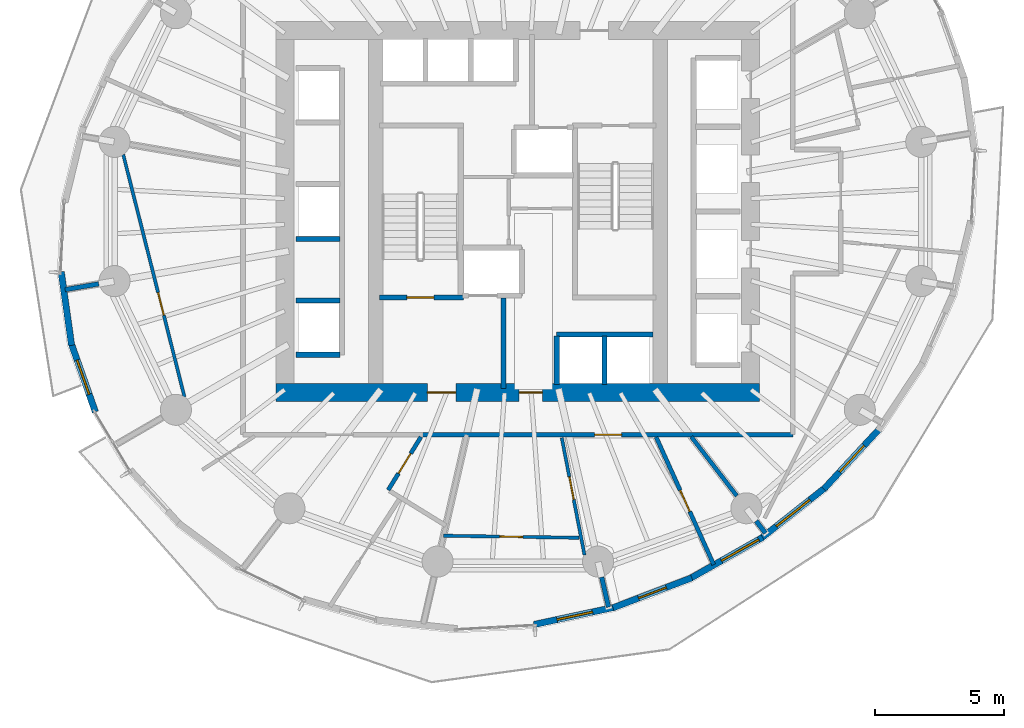
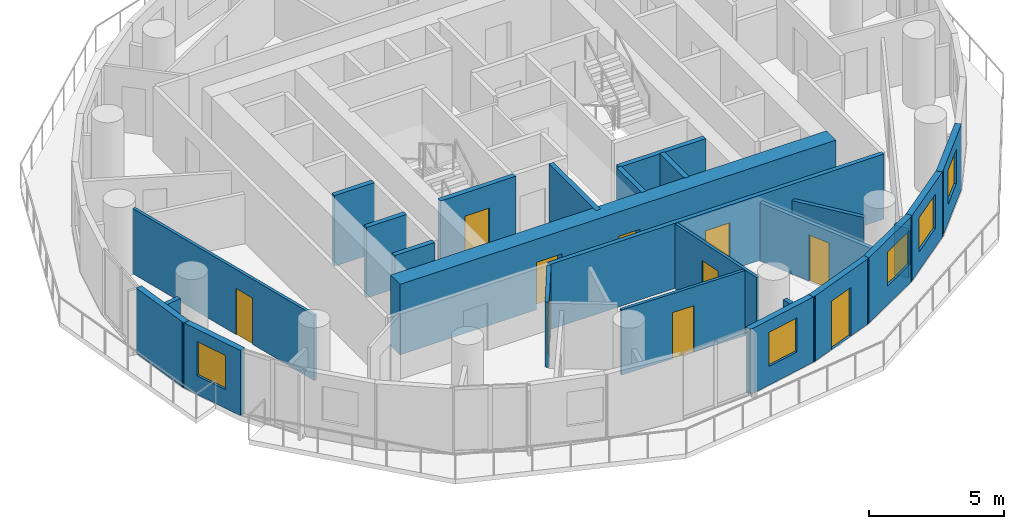
# One storey, part 7 of 15: 26 walls, 10 doors, 5 windows, 15 openings.
"""IFC4 building model written with IfcOpenShell, lengths in metres."""

from ifc_helpers import new_model, si_unit, direction, frame, frame_2d, origin, place, context, subcontext, project, spatial, rectangle, extrude, material, layer, layer_set, type_object, element, fill, save


model = new_model("IFC4")

# Units and contexts
model_context = context("Model", 3, precision=1e-05, world=origin(), true_north=direction((0.0, 1.0)))
body_context = subcontext(model_context, "Body", "Model", "MODEL_VIEW")
ifc_project = project(units=[si_unit("LENGTHUNIT", "METRE"), si_unit("AREAUNIT", "SQUARE_METRE"), si_unit("VOLUMEUNIT", "CUBIC_METRE"), si_unit("PLANEANGLEUNIT", "RADIAN"), si_unit("MASSUNIT", "GRAM", prefix="KILO")], contexts=[model_context])

# Site, building, storey
site_placement = place(None, origin())
site = spatial("IfcSite", under=ifc_project, at=site_placement, CompositionType="ELEMENT")
building_placement = place(site_placement, origin())
building = spatial("IfcBuilding", under=site, at=building_placement, Name="Veldorim Arch Residences", CompositionType="ELEMENT")
storey_placement = place(building_placement, frame((0.0, 0.0, 102.8798828125)))
storey = spatial("IfcBuildingStorey", under=building, at=storey_placement, Name="L30", CompositionType="ELEMENT", Elevation=102.8798828125)

# Wall, opening, door
ifc_material_1 = material(Name="Acoustic Gypsum Board", Category="gypsum")
ifc_layer_1 = layer(ifc_material_1, 0.125, Name="Acoustic Stud Room Partition Wall 125")
ifc_layer_set_1 = layer_set([ifc_layer_1], Name="Acoustic Gypsum Board")
wall_type_1 = type_object("IfcWallType", Name="Acoustic Stud Room Partition Wall 125", PredefinedType="PARTITIONING", material=ifc_layer_set_1)
wall_1_placement = place(storey_placement, frame((34.576904296875, 10.718994140625, 0.0), z_axis=(0.0, 0.0, 1.0), x_axis=(-0.19043944415, 0.981698944744, 0.0)))
wall_1 = element("IfcWall", 1, at=wall_1_placement, inside=storey, type_object=wall_type_1, Name="L30 interior wall WL-RES-L30-012", PredefinedType="PARTITIONING", context=body_context, shape_type="SweptSolid", body=[
    extrude(rectangle(XDim=4.61767578125, YDim=0.125, at=frame_2d((2.308837890625, 0.0))), origin(), (0.0, 0.0, 1.0), 2.955078125),
])
opening_1_placement = place(wall_1_placement, frame((2.18701171875, 0.0, 0.0)))
opening_1 = element("IfcOpeningElement", 2, at=opening_1_placement, cuts=wall_1, Name="Opening DR-INT", PredefinedType="OPENING", context=body_context, shape_type="SweptSolid", body=[
    extrude(rectangle(XDim=0.89990234375, YDim=2.10009765625, at=frame_2d((0.449951171875, 1.050048828125))), frame((0.0, 0.072509765625, 0.0), z_axis=(0.0, -1.0, 0.0), x_axis=(1.0, 0.0, 0.0)), (0.0, 0.0, 1.0), 0.14501953125),
])
ifc_material_2 = material(Name="Engineered Timber", Category="wood")
door_type_1 = type_object("IfcDoorType", Name="Apartment Internal Room Timber Door 900x2100", OperationType="SINGLE_SWING_LEFT", PredefinedType="DOOR", material=ifc_material_2)
door_1_placement = place(opening_1_placement, origin())
door_1 = element("IfcDoor", 3, at=door_1_placement, inside=storey, type_object=door_type_1, Name="L30 interior door DR-RES-L30-003", OperationType="SINGLE_SWING_LEFT", OverallHeight=2.10009765625, OverallWidth=0.89990234375, PredefinedType="DOOR", context=body_context, shape_type="SweptSolid", body=[
    extrude(rectangle(XDim=0.89990234375, YDim=2.10009765625, at=frame_2d((0.449951171875, 1.050048828125))), frame((0.0, 0.02490234375, 0.0), z_axis=(0.0, -1.0, 0.0), x_axis=(1.0, 0.0, 0.0)), (0.0, 0.0, 1.0), 0.050048828125),
])
fill(opening_1, door_1)

wall_2_placement = place(storey_placement, frame((34.3681640625, 11.38427734375, 0.0), z_axis=(0.0, 0.0, 1.0), x_axis=(-0.999882579861, 0.015324049414, 0.0)))
wall_2 = element("IfcWall", 4, at=wall_2_placement, inside=storey, type_object=wall_type_1, Name="L30 interior wall WL-RES-L30-014", PredefinedType="PARTITIONING", context=body_context, shape_type="SweptSolid", body=[
    extrude(rectangle(XDim=5.24169921875, YDim=0.125, at=frame_2d((2.620849609375, 0.0))), origin(), (0.0, 0.0, 1.0), 2.955078125),
])
opening_2_placement = place(wall_2_placement, frame((2.1708984375, 0.0, 0.0)))
opening_2 = element("IfcOpeningElement", 5, at=opening_2_placement, cuts=wall_2, Name="Opening DR-INT", PredefinedType="OPENING", context=body_context, shape_type="SweptSolid", body=[
    extrude(rectangle(XDim=0.89990234375, YDim=2.10009765625, at=frame_2d((0.449951171875, 1.050048828125))), frame((0.0, 0.072509765625, 0.0), z_axis=(0.0, -1.0, 0.0), x_axis=(1.0, 0.0, 0.0)), (0.0, 0.0, 1.0), 0.14501953125),
])
door_2_placement = place(opening_2_placement, origin())
door_2 = element("IfcDoor", 6, at=door_2_placement, inside=storey, type_object=door_type_1, Name="L30 interior door DR-RES-L30-004", OperationType="SINGLE_SWING_RIGHT", OverallHeight=2.10009765625, OverallWidth=0.89990234375, PredefinedType="DOOR", context=body_context, shape_type="SweptSolid", body=[
    extrude(rectangle(XDim=0.89990234375, YDim=2.10009765625, at=frame_2d((0.449951171875, 1.050048828125))), frame((0.0, 0.02490234375, 0.0), z_axis=(0.0, -1.0, 0.0), x_axis=(1.0, 0.0, 0.0)), (0.0, 0.0, 1.0), 0.050048828125),
])
fill(opening_2, door_2)

wall_3_placement = place(storey_placement, frame((19.111328125, 16.82568359375, 0.0), z_axis=(0.0, 0.0, 1.0), x_axis=(-0.244982180272, 0.969527581531, 0.0)))
wall_3 = element("IfcWall", 7, at=wall_3_placement, inside=storey, type_object=wall_type_1, Name="L30 interior wall WL-RES-L30-036", PredefinedType="PARTITIONING", context=body_context, shape_type="SweptSolid", body=[
    extrude(rectangle(XDim=9.670654296875, YDim=0.125, at=frame_2d((4.83544921875, 0.0))), origin(), (0.0, 0.0, 1.0), 2.955078125),
])
opening_3_placement = place(wall_3_placement, frame((3.265380859375, 0.0, 0.0)))
opening_3 = element("IfcOpeningElement", 8, at=opening_3_placement, cuts=wall_3, Name="Opening DR-INT", PredefinedType="OPENING", context=body_context, shape_type="SweptSolid", body=[
    extrude(rectangle(XDim=0.89990234375, YDim=2.10009765625, at=frame_2d((0.449951171875, 1.050048828125))), frame((0.0, 0.072509765625, 0.0), z_axis=(0.0, -1.0, 0.0), x_axis=(1.0, 0.0, 0.0)), (0.0, 0.0, 1.0), 0.14501953125),
])
door_3_placement = place(opening_3_placement, origin())
door_3 = element("IfcDoor", 9, at=door_3_placement, inside=storey, type_object=door_type_1, Name="L30 interior door DR-RES-L30-022", OperationType="SINGLE_SWING_RIGHT", OverallHeight=2.10009765625, OverallWidth=0.89990234375, PredefinedType="DOOR", context=body_context, shape_type="SweptSolid", body=[
    extrude(rectangle(XDim=0.89990234375, YDim=2.10009765625, at=frame_2d((0.449951171875, 1.050048828125))), frame((0.0, 0.02490234375, 0.0), z_axis=(0.0, -1.0, 0.0), x_axis=(1.0, 0.0, 0.0)), (0.0, 0.0, 1.0), 0.050048828125),
])
fill(opening_3, door_3)

# Walls
ifc_material_3 = material(Name="Lightweight Masonry Block & Gypsum", Category="masonry")
ifc_layer_2 = layer(ifc_material_3, 0.179931640625, Name="Compartment & Corridor Fire-Rated Party Wall 180")
ifc_layer_set_2 = layer_set([ifc_layer_2], Name="Lightweight Masonry Block & Gypsum")
wall_type_2 = type_object("IfcWallType", Name="Compartment & Corridor Fire-Rated Party Wall 180", PredefinedType="PARTITIONING", material=ifc_layer_set_2)
wall_4_placement = place(storey_placement, frame((15.79443359375, 21.202392578125, 0.0), z_axis=(0.0, 0.0, 1.0), x_axis=(-0.98541625201, -0.170161130326, 0.0)))
element("IfcWall", 10, at=wall_4_placement, inside=storey, type_object=wall_type_2, Name="L30 interior wall WL-PIER-L30-09", PredefinedType="PARTITIONING", context=body_context, shape_type="SweptSolid", body=[
    extrude(rectangle(XDim=1.318603515625, YDim=0.179931640625, at=frame_2d((0.6591796875, 0.0))), origin(), (0.0, 0.0, 1.0), 2.2607421875),
])
wall_5_placement = place(storey_placement, frame((35.240478515625, 9.86083984375, 0.0), z_axis=(0.0, 0.0, 1.0), x_axis=(0.223327310752, -0.974743511018, 0.0)))
element("IfcWall", 11, at=wall_5_placement, inside=storey, type_object=wall_type_2, Name="L30 interior wall WL-PIER-L30-13", PredefinedType="PARTITIONING", context=body_context, shape_type="SweptSolid", body=[
    extrude(rectangle(XDim=1.187255859375, YDim=0.179931640625, at=frame_2d((0.59375, 0.0))), origin(), (0.0, 0.0, 1.0), 2.2607421875),
])
wall_6_placement = place(storey_placement, frame((41.2119140625, 12.034423828125, 0.0), z_axis=(0.0, 0.0, 1.0), x_axis=(0.609790512648, -0.792562635181, 0.0)))
element("IfcWall", 12, at=wall_6_placement, inside=storey, type_object=wall_type_2, Name="L30 interior wall WL-PIER-L30-14", PredefinedType="PARTITIONING", context=body_context, shape_type="SweptSolid", body=[
    extrude(rectangle(XDim=0.591796875, YDim=0.179931640625, at=frame_2d((0.2958984375, 0.0))), origin(), (0.0, 0.0, 1.0), 2.2607421875),
])

# Wall, opening, door
wall_7_placement = place(storey_placement, frame((42.6298828125, 15.3701171875, 0.0), z_axis=(0.0, 0.0, 1.0), x_axis=(-1.0, 0.0, 0.0)))
wall_7 = element("IfcWall", 13, at=wall_7_placement, inside=storey, type_object=wall_type_2, Name="L30 interior wall WL-RES-L30-001", PredefinedType="PARTITIONING", context=body_context, shape_type="SweptSolid", body=[
    extrude(rectangle(XDim=14.345703125, YDim=0.179931640625, at=frame_2d((7.1728515625, 0.0))), origin(), (0.0, 0.0, 1.0), 2.955078125),
])
opening_4_placement = place(wall_7_placement, frame((6.614990234375, 0.0, 0.0)))
opening_4 = element("IfcOpeningElement", 14, at=opening_4_placement, cuts=wall_7, Name="Opening DR-FLT", PredefinedType="OPENING", context=body_context, shape_type="SweptSolid", body=[
    extrude(rectangle(XDim=1.050048828125, YDim=2.14990234375, at=frame_2d((0.52490234375, 1.074951171875))), frame((0.0, 0.099853515625, 0.0), z_axis=(0.0, -1.0, 0.0), x_axis=(1.0, 0.0, 0.0)), (0.0, 0.0, 1.0), 0.199951171875),
])
ifc_material_4 = material(Name="Fire-Rated Timber", Category="wood")
door_type_2 = type_object("IfcDoorType", Name="Apartment Entrance Solid-Core Fire Door 1050x2150", OperationType="SINGLE_SWING_LEFT", PredefinedType="DOOR", material=ifc_material_4)
door_4_placement = place(opening_4_placement, origin())
door_4 = element("IfcDoor", 15, at=door_4_placement, inside=storey, type_object=door_type_2, Name="L30 interior door DR-RES-L30-001", OperationType="SINGLE_SWING_LEFT", OverallHeight=2.14990234375, OverallWidth=1.050048828125, PredefinedType="DOOR", context=body_context, shape_type="SweptSolid", body=[
    extrude(rectangle(XDim=1.050048828125, YDim=2.14990234375, at=frame_2d((0.52490234375, 1.074951171875))), frame((0.0, 0.02490234375, 0.0), z_axis=(0.0, -1.0, 0.0), x_axis=(1.0, 0.0, 0.0)), (0.0, 0.0, 1.0), 0.050048828125),
])
fill(opening_4, door_4)

ifc_material_5 = material(Name="Concrete C50/60", Category="concrete")
ifc_layer_3 = layer(ifc_material_5, 0.199951171875, Name="Core Stair & Lift Shaft Enclosure Wall 200")
ifc_layer_set_3 = layer_set([ifc_layer_3], Name="Concrete C50/60")
wall_type_3 = type_object("IfcWallType", Name="Core Stair & Lift Shaft Enclosure Wall 200", PredefinedType="SHEAR", material=ifc_layer_set_3)
wall_8_placement = place(storey_placement, frame((26.64990234375, 20.669921875, 0.0), z_axis=(0.0, 0.0, 1.0), x_axis=(1.0, 0.0, 0.0)))
wall_8 = element("IfcWall", 16, at=wall_8_placement, inside=storey, type_object=wall_type_3, Name="L30 shaft wall WL-SHF-L30-ST1-S", PredefinedType="SHEAR", context=body_context, shape_type="SweptSolid", body=[
    extrude(rectangle(XDim=3.239990234375, YDim=0.199951171875, at=frame_2d((1.6201171875, 0.0))), origin(), (0.0, 0.0, 1.0), 3.2001953125),
])
opening_5_placement = place(wall_8_placement, frame((1.054931640625, 0.0, 0.0)))
opening_5 = element("IfcOpeningElement", 17, at=opening_5_placement, cuts=wall_8, Name="Opening DR-ST", PredefinedType="OPENING", context=body_context, shape_type="SweptSolid", body=[
    extrude(rectangle(XDim=1.050048828125, YDim=2.14990234375, at=frame_2d((0.52490234375, 1.074951171875))), frame((0.0, 0.10986328125, 0.0), z_axis=(0.0, -1.0, 0.0), x_axis=(1.0, 0.0, 0.0)), (0.0, 0.0, 1.0), 0.219970703125),
])
ifc_material_6 = material(Name="Fire-Rated Steel", Category="steel")
door_type_3 = type_object("IfcDoorType", Name="Exit Staircase Self-Closing Fire Door 1050x2150", OperationType="SINGLE_SWING_LEFT", PredefinedType="DOOR", material=ifc_material_6)
door_5_placement = place(opening_5_placement, origin())
door_5 = element("IfcDoor", 18, at=door_5_placement, inside=storey, type_object=door_type_3, Name="L30 interior door DR-L30-ST1", OperationType="SINGLE_SWING_LEFT", OverallHeight=2.14990234375, OverallWidth=1.050048828125, PredefinedType="DOOR", context=body_context, shape_type="SweptSolid", body=[
    extrude(rectangle(XDim=1.050048828125, YDim=2.14990234375, at=frame_2d((0.52490234375, 1.074951171875))), frame((0.0, 0.02490234375, 0.0), z_axis=(0.0, -1.0, 0.0), x_axis=(1.0, 0.0, 0.0)), (0.0, 0.0, 1.0), 0.050048828125),
])
fill(opening_5, door_5)

# Walls
wall_9_placement = place(storey_placement, frame((31.449951171875, 17.14990234375, 0.0), z_axis=(0.0, 0.0, 1.0), x_axis=(0.0, 1.0, 0.0)))
element("IfcWall", 19, at=wall_9_placement, inside=storey, type_object=wall_type_3, Name="L30 shaft wall WL-FFL1-L30-E", PredefinedType="SHEAR", context=body_context, shape_type="SweptSolid", body=[
    extrude(rectangle(XDim=3.5, YDim=0.199951171875, at=frame_2d((1.75, 0.0))), origin(), (0.0, 0.0, 1.0), 3.2001953125),
])
for number, where, z_axis, x_axis, name in (
    (20, (23.419921875, 18.4599609375, 0.0), (0.0, 0.0, 1.0), (1.0, 0.0, 0.0), "L30 shaft wall WL-B2-L30-S"),
    (21, (23.419921875, 20.56005859375, 0.0), (0.0, 0.0, 1.0), (1.0, 0.0, 0.0), "L30 shaft wall WL-B2-L30-D1A"),
    (22, (23.419921875, 22.93994140625, 0.0), (0.0, 0.0, 1.0), (1.0, 0.0, 0.0), "L30 shaft wall WL-B2-L30-D1B"),
):
    element("IfcWall", number, at=place(storey_placement, frame(where, z_axis=z_axis, x_axis=x_axis)), inside=storey, type_object=wall_type_3, Name=name, PredefinedType="SHEAR", context=body_context, shape_type="SweptSolid", body=[
        extrude(rectangle(XDim=1.7099609375, YDim=0.199951171875, at=frame_2d((0.85498046875, 0.0))), origin(), (0.0, 0.0, 1.0), 3.2001953125),
    ])
wall_10_placement = place(storey_placement, frame((33.5, 19.25, 0.0), z_axis=(0.0, 0.0, 1.0), x_axis=(1.0, 0.0, 0.0)))
element("IfcWall", 23, at=wall_10_placement, inside=storey, type_object=wall_type_3, Name="L30 shaft wall WL-OL-L30-N", PredefinedType="SHEAR", context=body_context, shape_type="SweptSolid", body=[
    extrude(rectangle(XDim=3.719970703125, YDim=0.199951171875, at=frame_2d((1.85986328125, 0.0))), origin(), (0.0, 0.0, 1.0), 3.2001953125),
])
for number, where, z_axis, x_axis, name in (
    (24, (33.5, 17.320068359375, 0.0), (0.0, 0.0, 1.0), (0.0, 1.0, 0.0), "L30 shaft wall WL-OL-L30-W"),
    (25, (35.35009765625, 17.320068359375, 0.0), (0.0, 0.0, 1.0), (0.0, 1.0, 0.0), "L30 shaft wall WL-OL-L30-D1"),
):
    element("IfcWall", number, at=place(storey_placement, frame(where, z_axis=z_axis, x_axis=x_axis)), inside=storey, type_object=wall_type_3, Name=name, PredefinedType="SHEAR", context=body_context, shape_type="SweptSolid", body=[
        extrude(rectangle(XDim=1.85986328125, YDim=0.199951171875, at=frame_2d((0.929931640625, 0.0))), origin(), (0.0, 0.0, 1.0), 3.2001953125),
    ])

# Wall, openings, doors
ifc_material_7 = material(Name="Concrete C60/75", Category="concrete")
ifc_layer_4 = layer(ifc_material_7, 0.699951171875, Name="Mid-Lower Central Core Shear Wall 700")
ifc_layer_set_4 = layer_set([ifc_layer_4], Name="Concrete C60/75")
wall_type_4 = type_object("IfcWallType", Name="Mid-Lower Central Core Shear Wall 700", PredefinedType="SHEAR", material=ifc_layer_set_4)
wall_11_placement = place(storey_placement, frame((22.64990234375, 17.0, 0.0), z_axis=(0.0, 0.0, 1.0), x_axis=(1.0, 0.0, 0.0)))
wall_11 = element("IfcWall", 26, at=wall_11_placement, inside=storey, type_object=wall_type_4, Name="L30 central core south shear wall", PredefinedType="SHEAR", context=body_context, shape_type="SweptSolid", body=[
    extrude(rectangle(XDim=18.7001953125, YDim=0.699951171875, at=frame_2d((9.35009765625, 0.0))), origin(), (0.0, 0.0, 1.0), 3.2001953125),
])
opening_6_placement = place(wall_11_placement, frame((5.85009765625, 0.0, 0.0)))
opening_6 = element("IfcOpeningElement", 27, at=opening_6_placement, cuts=wall_11, Name="Opening DR-FFL", PredefinedType="OPENING", context=body_context, shape_type="SweptSolid", body=[
    extrude(rectangle(XDim=1.10009765625, YDim=2.14990234375, at=frame_2d((0.550048828125, 1.074951171875))), frame((0.0, 0.35986328125, 0.0), z_axis=(0.0, -1.0, 0.0), x_axis=(1.0, 0.0, 0.0)), (0.0, 0.0, 1.0), 0.719970703125),
])
opening_7_placement = place(wall_11_placement, frame((9.39990234375, 0.0, 0.0)))
opening_7 = element("IfcOpeningElement", 28, at=opening_7_placement, cuts=wall_11, Name="Opening DR-SVC", PredefinedType="OPENING", context=body_context, shape_type="SweptSolid", body=[
    extrude(rectangle(XDim=0.89990234375, YDim=2.10009765625, at=frame_2d((0.449951171875, 1.050048828125))), frame((0.0, 0.35986328125, 0.0), z_axis=(0.0, -1.0, 0.0), x_axis=(1.0, 0.0, 0.0)), (0.0, 0.0, 1.0), 0.719970703125),
])
ifc_material_8 = material(Name="Fire-Rated Steel & Vision Glass", Category="steel")
door_type_4 = type_object("IfcDoorType", Name="Firefighting Lobby Smoke-Stop Fire Door 1100x2150", OperationType="SINGLE_SWING_LEFT", PredefinedType="DOOR", material=ifc_material_8)
door_6_placement = place(opening_6_placement, origin())
door_6 = element("IfcDoor", 29, at=door_6_placement, inside=storey, type_object=door_type_4, Name="L30 interior door DR-L30-FFL1", OperationType="SINGLE_SWING_RIGHT", OverallHeight=2.14990234375, OverallWidth=1.10009765625, PredefinedType="DOOR", context=body_context, shape_type="SweptSolid", body=[
    extrude(rectangle(XDim=1.10009765625, YDim=2.14990234375, at=frame_2d((0.550048828125, 1.074951171875))), frame((0.0, 0.02490234375, 0.0), z_axis=(0.0, -1.0, 0.0), x_axis=(1.0, 0.0, 0.0)), (0.0, 0.0, 1.0), 0.050048828125),
])
fill(opening_6, door_6)
ifc_material_9 = material(Name="Fire-Rated Steel", Category="steel")
door_type_5 = type_object("IfcDoorType", Name="Riser, Shelter & Plant Room Rated Steel Door 900x2100", OperationType="SINGLE_SWING_LEFT", PredefinedType="DOOR", material=ifc_material_9)
door_7_placement = place(opening_7_placement, origin())
door_7 = element("IfcDoor", 30, at=door_7_placement, inside=storey, type_object=door_type_5, Name="L30 interior door DR-L30-COR-ANC", OperationType="SINGLE_SWING_LEFT", OverallHeight=2.10009765625, OverallWidth=0.89990234375, PredefinedType="DOOR", context=body_context, shape_type="SweptSolid", body=[
    extrude(rectangle(XDim=0.89990234375, YDim=2.10009765625, at=frame_2d((0.449951171875, 1.050048828125))), frame((0.0, 0.02490234375, 0.0), z_axis=(0.0, -1.0, 0.0), x_axis=(1.0, 0.0, 0.0)), (0.0, 0.0, 1.0), 0.050048828125),
])
fill(opening_7, door_7)

# Wall
ifc_material_10 = material(Name="Precast concrete C40/50", Category="concrete")
ifc_layer_5 = layer(ifc_material_10, 0.25, Name="Tower Terracotta Spandrel & Pier Wall 250")
ifc_layer_set_5 = layer_set([ifc_layer_5], Name="Precast concrete C40/50")
wall_type_5 = type_object("IfcWallType", Name="Tower Terracotta Spandrel & Pier Wall 250", PredefinedType="SOLIDWALL", material=ifc_layer_set_5)
wall_12_placement = place(storey_placement, frame((14.744140625, 18.823974609375, 0.0), z_axis=(0.0, 0.0, 1.0), x_axis=(-0.139982311006, 0.990154004489, 0.0)))
element("IfcWall", 31, at=wall_12_placement, inside=storey, type_object=wall_type_5, Name="L30 terracotta facade wall 17", PredefinedType="SOLIDWALL", context=body_context, shape_type="SweptSolid", body=[
    extrude(rectangle(XDim=2.874267578125, YDim=0.25, at=frame_2d((1.43701171875, 0.0))), origin(), (0.0, 0.0, 1.0), 2.960205078125),
])

# Wall, opening, window
wall_13_placement = place(storey_placement, frame((15.6650390625, 16.25, 0.0), z_axis=(0.0, 0.0, 1.0), x_axis=(-0.332923265962, 0.942953921982, 0.0)))
wall_13 = element("IfcWall", 32, at=wall_13_placement, inside=storey, type_object=wall_type_5, Name="L30 terracotta facade wall 18", PredefinedType="SOLIDWALL", context=body_context, shape_type="SweptSolid", body=[
    extrude(rectangle(XDim=2.847412109375, YDim=0.25, at=frame_2d((1.423828125, 0.0))), origin(), (0.0, 0.0, 1.0), 2.960205078125),
])
opening_8_placement = place(wall_13_placement, frame((0.72412109375, 0.0, 0.85009765625)))
opening_8 = element("IfcOpeningElement", 33, at=opening_8_placement, cuts=wall_13, Name="Opening WN-02", PredefinedType="OPENING", context=body_context, shape_type="SweptSolid", body=[
    extrude(rectangle(XDim=1.39990234375, YDim=1.550048828125, at=frame_2d((0.699951171875, 0.77490234375))), frame((0.0, 0.135009765625, 0.0), z_axis=(0.0, -1.0, 0.0), x_axis=(1.0, 0.0, 0.0)), (0.0, 0.0, 1.0), 0.27001953125),
])
ifc_material_11 = material(Name="Laminated Low-E Glass", Category="glass")
window_type_1 = type_object("IfcWindowType", Name="Residential Casement Window 1400x1550", PartitioningType="SINGLE_PANEL", PredefinedType="WINDOW", material=ifc_material_11)
window_1_placement = place(opening_8_placement, origin())
window_1 = element("IfcWindow", 34, at=window_1_placement, inside=storey, type_object=window_type_1, Name="L30 solar-control facade window 18", OverallHeight=1.550048828125, OverallWidth=1.39990234375, PartitioningType="SINGLE_PANEL", PredefinedType="WINDOW", context=body_context, shape_type="SweptSolid", body=[
    extrude(rectangle(XDim=1.39990234375, YDim=1.550048828125, at=frame_2d((0.699951171875, 0.77490234375))), frame((0.0, 0.030029296875, 0.0), z_axis=(0.0, -1.0, 0.0), x_axis=(1.0, 0.0, 0.0)), (0.0, 0.0, 1.0), 0.06005859375),
])
fill(opening_8, window_1)

wall_14_placement = place(storey_placement, frame((35.783203125, 8.70703125, 0.0), z_axis=(0.0, 0.0, 1.0), x_axis=(-0.977758229837, -0.209735175845, 0.0)))
wall_14 = element("IfcWall", 35, at=wall_14_placement, inside=storey, type_object=wall_type_5, Name="L30 terracotta facade wall 26", PredefinedType="SOLIDWALL", context=body_context, shape_type="SweptSolid", body=[
    extrude(rectangle(XDim=3.236083984375, YDim=0.25, at=frame_2d((1.6181640625, 0.0))), origin(), (0.0, 0.0, 1.0), 2.960205078125),
])
opening_9_placement = place(wall_14_placement, frame((0.91796875, 0.0, 0.85009765625)))
opening_9 = element("IfcOpeningElement", 36, at=opening_9_placement, cuts=wall_14, Name="Opening WN-02", PredefinedType="OPENING", context=body_context, shape_type="SweptSolid", body=[
    extrude(rectangle(XDim=1.39990234375, YDim=1.550048828125, at=frame_2d((0.699951171875, 0.77490234375))), frame((0.0, 0.135009765625, 0.0), z_axis=(0.0, -1.0, 0.0), x_axis=(1.0, 0.0, 0.0)), (0.0, 0.0, 1.0), 0.27001953125),
])
window_2_placement = place(opening_9_placement, origin())
window_2 = element("IfcWindow", 37, at=window_2_placement, inside=storey, type_object=window_type_1, Name="L30 solar-control facade window 26", OverallHeight=1.550048828125, OverallWidth=1.39990234375, PartitioningType="SINGLE_PANEL", PredefinedType="WINDOW", context=body_context, shape_type="SweptSolid", body=[
    extrude(rectangle(XDim=1.39990234375, YDim=1.550048828125, at=frame_2d((0.699951171875, 0.77490234375))), frame((0.0, 0.030029296875, 0.0), z_axis=(0.0, -1.0, 0.0), x_axis=(1.0, 0.0, 0.0)), (0.0, 0.0, 1.0), 0.06005859375),
])
fill(opening_9, window_2)

# Wall, opening, door
wall_15_placement = place(storey_placement, frame((38.724853515625, 9.83642578125, 0.0), z_axis=(0.0, 0.0, 1.0), x_axis=(-0.934481801939, -0.3560109013, 0.0)))
wall_15 = element("IfcWall", 38, at=wall_15_placement, inside=storey, type_object=wall_type_5, Name="L30 terracotta facade wall 27", PredefinedType="SOLIDWALL", context=body_context, shape_type="SweptSolid", body=[
    extrude(rectangle(XDim=3.259521484375, YDim=0.25, at=frame_2d((1.6298828125, 0.0))), origin(), (0.0, 0.0, 1.0), 2.960205078125),
])
opening_10_placement = place(wall_15_placement, frame((1.054931640625, 0.0, 0.0)))
opening_10 = element("IfcOpeningElement", 39, at=opening_10_placement, cuts=wall_15, Name="Opening BL-DR", PredefinedType="OPENING", context=body_context, shape_type="SweptSolid", body=[
    extrude(rectangle(XDim=1.14990234375, YDim=2.199951171875, at=frame_2d((0.574951171875, 1.10009765625))), frame((0.0, 0.135009765625, 0.0), z_axis=(0.0, -1.0, 0.0), x_axis=(1.0, 0.0, 0.0)), (0.0, 0.0, 1.0), 0.27001953125),
])
ifc_material_12 = material(Name="Aluminium & Low-E Glass", Category="aluminium")
door_type_6 = type_object("IfcDoorType", Name="Glazed Planted Balcony Door 1150x2200", OperationType="SINGLE_SWING_LEFT", PredefinedType="DOOR", material=ifc_material_12)
door_8_placement = place(opening_10_placement, origin())
door_8 = element("IfcDoor", 40, at=door_8_placement, inside=storey, type_object=door_type_6, Name="L30 glazed outdoor terrace door BALC-2", OperationType="SINGLE_SWING_LEFT", OverallHeight=2.199951171875, OverallWidth=1.14990234375, PredefinedType="DOOR", context=body_context, shape_type="SweptSolid", body=[
    extrude(rectangle(XDim=1.14990234375, YDim=2.199951171875, at=frame_2d((0.574951171875, 1.10009765625))), frame((0.0, 0.02490234375, 0.0), z_axis=(0.0, -1.0, 0.0), x_axis=(1.0, 0.0, 0.0)), (0.0, 0.0, 1.0), 0.050048828125),
])
fill(opening_10, door_8)

# Wall, opening, window
wall_16_placement = place(storey_placement, frame((41.462158203125, 11.3974609375, 0.0), z_axis=(0.0, 0.0, 1.0), x_axis=(-0.869984700924, -0.493078715986, 0.0)))
wall_16 = element("IfcWall", 41, at=wall_16_placement, inside=storey, type_object=wall_type_5, Name="L30 terracotta facade wall 28", PredefinedType="SOLIDWALL", context=body_context, shape_type="SweptSolid", body=[
    extrude(rectangle(XDim=3.259521484375, YDim=0.25, at=frame_2d((1.6298828125, 0.0))), origin(), (0.0, 0.0, 1.0), 2.960205078125),
])
opening_11_placement = place(wall_16_placement, frame((0.175048828125, 0.0, 0.85009765625)))
opening_11 = element("IfcOpeningElement", 42, at=opening_11_placement, cuts=wall_16, Name="Opening WN-03", PredefinedType="OPENING", context=body_context, shape_type="SweptSolid", body=[
    extrude(rectangle(XDim=1.64990234375, YDim=1.550048828125, at=frame_2d((0.824951171875, 0.77490234375))), frame((0.0, 0.135009765625, 0.0), z_axis=(0.0, -1.0, 0.0), x_axis=(1.0, 0.0, 0.0)), (0.0, 0.0, 1.0), 0.27001953125),
])
ifc_material_13 = material(Name="Laminated Low-E Glass", Category="glass")
window_type_2 = type_object("IfcWindowType", Name="Residential Wide Window 1650x1550", PartitioningType="SINGLE_PANEL", PredefinedType="WINDOW", material=ifc_material_13)
window_3_placement = place(opening_11_placement, origin())
window_3 = element("IfcWindow", 43, at=window_3_placement, inside=storey, type_object=window_type_2, Name="L30 solar-control facade window 28", OverallHeight=1.550048828125, OverallWidth=1.64990234375, PartitioningType="SINGLE_PANEL", PredefinedType="WINDOW", context=body_context, shape_type="SweptSolid", body=[
    extrude(rectangle(XDim=1.64990234375, YDim=1.550048828125, at=frame_2d((0.824951171875, 0.77490234375))), frame((0.0, 0.030029296875, 0.0), z_axis=(0.0, -1.0, 0.0), x_axis=(1.0, 0.0, 0.0)), (0.0, 0.0, 1.0), 0.06005859375),
])
fill(opening_11, window_3)

wall_17_placement = place(storey_placement, frame((43.911865234375, 13.34228515625, 0.0), z_axis=(0.0, 0.0, 1.0), x_axis=(-0.784871179145, -0.619658964389, 0.0)))
wall_17 = element("IfcWall", 44, at=wall_17_placement, inside=storey, type_object=wall_type_5, Name="L30 terracotta facade wall 29", PredefinedType="SOLIDWALL", context=body_context, shape_type="SweptSolid", body=[
    extrude(rectangle(XDim=3.236328125, YDim=0.25, at=frame_2d((1.6181640625, 0.0))), origin(), (0.0, 0.0, 1.0), 2.960205078125),
])
opening_12_placement = place(wall_17_placement, frame((0.79296875, 0.0, 0.85009765625)))
opening_12 = element("IfcOpeningElement", 45, at=opening_12_placement, cuts=wall_17, Name="Opening WN-03", PredefinedType="OPENING", context=body_context, shape_type="SweptSolid", body=[
    extrude(rectangle(XDim=1.64990234375, YDim=1.550048828125, at=frame_2d((0.824951171875, 0.77490234375))), frame((0.0, 0.135009765625, 0.0), z_axis=(0.0, -1.0, 0.0), x_axis=(1.0, 0.0, 0.0)), (0.0, 0.0, 1.0), 0.27001953125),
])
window_4_placement = place(opening_12_placement, origin())
window_4 = element("IfcWindow", 46, at=window_4_placement, inside=storey, type_object=window_type_2, Name="L30 solar-control facade window 29", OverallHeight=1.550048828125, OverallWidth=1.64990234375, PartitioningType="SINGLE_PANEL", PredefinedType="WINDOW", context=body_context, shape_type="SweptSolid", body=[
    extrude(rectangle(XDim=1.64990234375, YDim=1.550048828125, at=frame_2d((0.824951171875, 0.77490234375))), frame((0.0, 0.030029296875, 0.0), z_axis=(0.0, -1.0, 0.0), x_axis=(1.0, 0.0, 0.0)), (0.0, 0.0, 1.0), 0.06005859375),
])
fill(opening_12, window_4)

wall_18_placement = place(storey_placement, frame((45.998779296875, 15.611572265625, 0.0), z_axis=(0.0, 0.0, 1.0), x_axis=(-0.678956449941, -0.734178547142, 0.0)))
wall_18 = element("IfcWall", 47, at=wall_18_placement, inside=storey, type_object=wall_type_5, Name="L30 terracotta facade wall 30", PredefinedType="SOLIDWALL", context=body_context, shape_type="SweptSolid", body=[
    extrude(rectangle(XDim=3.19189453125, YDim=0.25, at=frame_2d((1.595947265625, 0.0))), origin(), (0.0, 0.0, 1.0), 2.960205078125),
])
opening_13_placement = place(wall_18_placement, frame((0.89599609375, 0.0, 0.85009765625)))
opening_13 = element("IfcOpeningElement", 48, at=opening_13_placement, cuts=wall_18, Name="Opening WN-02", PredefinedType="OPENING", context=body_context, shape_type="SweptSolid", body=[
    extrude(rectangle(XDim=1.39990234375, YDim=1.550048828125, at=frame_2d((0.699951171875, 0.77490234375))), frame((0.0, 0.135009765625, 0.0), z_axis=(0.0, -1.0, 0.0), x_axis=(1.0, 0.0, 0.0)), (0.0, 0.0, 1.0), 0.27001953125),
])
window_5_placement = place(opening_13_placement, origin())
window_5 = element("IfcWindow", 49, at=window_5_placement, inside=storey, type_object=window_type_1, Name="L30 solar-control facade window 30", OverallHeight=1.550048828125, OverallWidth=1.39990234375, PartitioningType="SINGLE_PANEL", PredefinedType="WINDOW", context=body_context, shape_type="SweptSolid", body=[
    extrude(rectangle(XDim=1.39990234375, YDim=1.550048828125, at=frame_2d((0.699951171875, 0.77490234375))), frame((0.0, 0.030029296875, 0.0), z_axis=(0.0, -1.0, 0.0), x_axis=(1.0, 0.0, 0.0)), (0.0, 0.0, 1.0), 0.06005859375),
])
fill(opening_13, window_5)

# Wall, opening, door
ifc_material_14 = material(Name="Moisture-Resistant Gypsum & Stud", Category="gypsum")
ifc_layer_6 = layer(ifc_material_14, 0.159912109375, Name="Wet-Area Moisture-Resistant Plumbing Wall 160")
ifc_layer_set_6 = layer_set([ifc_layer_6], Name="Moisture-Resistant Gypsum & Stud")
wall_type_6 = type_object("IfcWallType", Name="Wet-Area Moisture-Resistant Plumbing Wall 160", PredefinedType="PLUMBINGWALL", material=ifc_layer_set_6)
wall_19_placement = place(storey_placement, frame((37.344970703125, 15.27880859375, 0.0), z_axis=(0.0, 0.0, 1.0), x_axis=(0.411532357021, -0.911395149825, 0.0)))
wall_19 = element("IfcWall", 50, at=wall_19_placement, inside=storey, type_object=wall_type_6, Name="L30 interior wall WL-RES-L30-011", PredefinedType="PLUMBINGWALL", context=body_context, shape_type="SweptSolid", body=[
    extrude(rectangle(XDim=5.41455078125, YDim=0.159912109375, at=frame_2d((2.707275390625, 0.0))), origin(), (0.0, 0.0, 1.0), 2.6416015625),
])
opening_14_placement = place(wall_19_placement, frame((2.25732421875, 0.0, 0.0)))
opening_14 = element("IfcOpeningElement", 51, at=opening_14_placement, cuts=wall_19, Name="Opening DR-WC", PredefinedType="OPENING", context=body_context, shape_type="SweptSolid", body=[
    extrude(rectangle(XDim=0.89990234375, YDim=2.10009765625, at=frame_2d((0.449951171875, 1.050048828125))), frame((0.0, 0.08984375, 0.0), z_axis=(0.0, -1.0, 0.0), x_axis=(1.0, 0.0, 0.0)), (0.0, 0.0, 1.0), 0.179931640625),
])
ifc_material_15 = material(Name="Laminate Timber", Category="wood")
door_type_7 = type_object("IfcDoorType", Name="Bathroom & Accessible WC Moisture-Sealed Door 900x2100", OperationType="SINGLE_SWING_LEFT", PredefinedType="DOOR", material=ifc_material_15)
door_9_placement = place(opening_14_placement, origin())
door_9 = element("IfcDoor", 52, at=door_9_placement, inside=storey, type_object=door_type_7, Name="L30 interior door DR-RES-L30-002", OperationType="SINGLE_SWING_RIGHT", OverallHeight=2.10009765625, OverallWidth=0.89990234375, PredefinedType="DOOR", context=body_context, shape_type="SweptSolid", body=[
    extrude(rectangle(XDim=0.89990234375, YDim=2.10009765625, at=frame_2d((0.449951171875, 1.050048828125))), frame((0.0, 0.02490234375, 0.0), z_axis=(0.0, -1.0, 0.0), x_axis=(1.0, 0.0, 0.0)), (0.0, 0.0, 1.0), 0.050048828125),
])
fill(opening_14, door_9)

# Wall
wall_20_placement = place(storey_placement, frame((38.704833984375, 15.290771484375, 0.0), z_axis=(0.0, 0.0, 1.0), x_axis=(0.610033601295, -0.792375545617, 0.0)))
element("IfcWall", 53, at=wall_20_placement, inside=storey, type_object=wall_type_6, Name="L30 interior wall WL-RES-L30-013", PredefinedType="PLUMBINGWALL", context=body_context, shape_type="SweptSolid", body=[
    extrude(rectangle(XDim=2.88671875, YDim=0.159912109375, at=frame_2d((1.443359375, 0.0))), origin(), (0.0, 0.0, 1.0), 2.2607421875),
])

# Wall, opening, door
wall_21_placement = place(storey_placement, frame((28.252685546875, 15.284912109375, 0.0), z_axis=(0.0, 0.0, 1.0), x_axis=(-0.524605293124, -0.851345574033, 0.0)))
wall_21 = element("IfcWall", 54, at=wall_21_placement, inside=storey, type_object=wall_type_6, Name="L30 interior wall WL-RES-L30-034", PredefinedType="PLUMBINGWALL", context=body_context, shape_type="SweptSolid", body=[
    extrude(rectangle(XDim=2.41357421875, YDim=0.159912109375, at=frame_2d((1.206787109375, 0.0))), origin(), (0.0, 0.0, 1.0), 2.955078125),
])
opening_15_placement = place(wall_21_placement, frame((0.756591796875, 0.0, 0.0)))
opening_15 = element("IfcOpeningElement", 55, at=opening_15_placement, cuts=wall_21, Name="Opening DR-INT", PredefinedType="OPENING", context=body_context, shape_type="SweptSolid", body=[
    extrude(rectangle(XDim=0.89990234375, YDim=2.10009765625, at=frame_2d((0.449951171875, 1.050048828125))), frame((0.0, 0.08984375, 0.0), z_axis=(0.0, -1.0, 0.0), x_axis=(1.0, 0.0, 0.0)), (0.0, 0.0, 1.0), 0.179931640625),
])
door_10_placement = place(opening_15_placement, origin())
door_10 = element("IfcDoor", 56, at=door_10_placement, inside=storey, type_object=door_type_1, Name="L30 interior door DR-RES-L30-023", OperationType="SINGLE_SWING_LEFT", OverallHeight=2.10009765625, OverallWidth=0.89990234375, PredefinedType="DOOR", context=body_context, shape_type="SweptSolid", body=[
    extrude(rectangle(XDim=0.89990234375, YDim=2.10009765625, at=frame_2d((0.449951171875, 1.050048828125))), frame((0.0, 0.02490234375, 0.0), z_axis=(0.0, -1.0, 0.0), x_axis=(1.0, 0.0, 0.0)), (0.0, 0.0, 1.0), 0.050048828125),
])
fill(opening_15, door_10)

save(model, "model.ifc")
